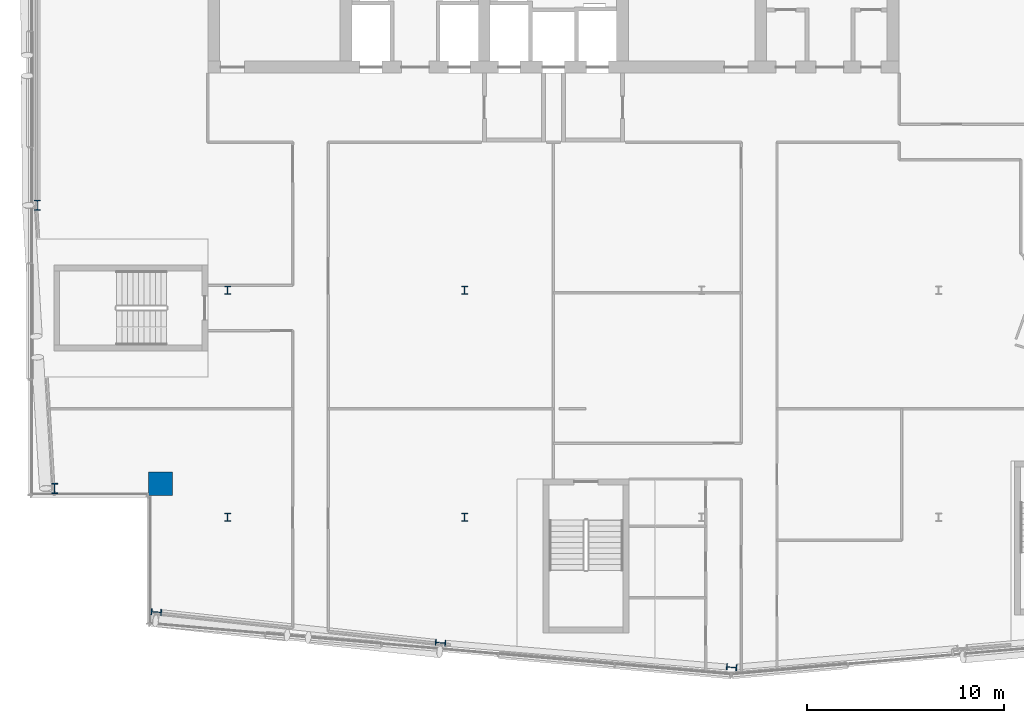
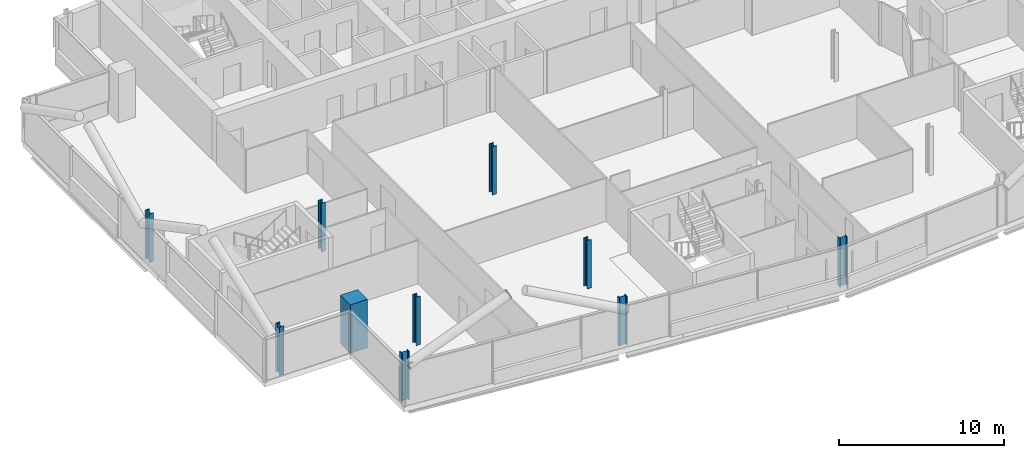
# One storey, part 1 of 28: 10 columns.
"""IFC4 building model written with IfcOpenShell, lengths in metres."""

from ifc_helpers import new_model, si_unit, direction, frame, origin, origin_2d, place, context, subcontext, project, spatial, rectangle, i_section, extrude, material, material_profile, profile_set, type_object, element, save


model = new_model("IFC4")

# Units and contexts
model_context = context("Model", 3, precision=1e-05, world=origin(), true_north=direction((0.0, 1.0)))
body_context = subcontext(model_context, "Body", "Model", "MODEL_VIEW")
ifc_project = project(units=[si_unit("LENGTHUNIT", "METRE"), si_unit("AREAUNIT", "SQUARE_METRE"), si_unit("VOLUMEUNIT", "CUBIC_METRE"), si_unit("PLANEANGLEUNIT", "RADIAN"), si_unit("MASSUNIT", "GRAM", prefix="KILO")], contexts=[model_context])

# Site, building, storey
site_placement = place(None, origin())
site = spatial("IfcSite", under=ifc_project, at=site_placement, CompositionType="ELEMENT")
building_placement = place(site_placement, origin())
building = spatial("IfcBuilding", under=site, at=building_placement, Name="Wharfspan Tower", CompositionType="ELEMENT")
storey_placement = place(building_placement, frame((0.0, 0.0, 250.300049)))
storey = spatial("IfcBuildingStorey", under=building, at=storey_placement, Name="L63", CompositionType="ELEMENT", Elevation=250.300049)

# Columns
ifc_material_1 = material(Name="Steel S355J2", Category="steel")
ifc_material_profile_1 = material_profile(ifc_material_1, i_section(OverallWidth=0.300049, OverallDepth=0.399902, WebThickness=0.013428, FlangeThickness=0.023926, FilletRadius=0.0271, at=origin_2d()))
ifc_profile_set_1 = profile_set([ifc_material_profile_1], Name="Steel S355J2")
column_type_1 = type_object("IfcColumnType", Name="Column HEB 400", PredefinedType="COLUMN", material=ifc_profile_set_1)
for number, where, z_axis, x_axis, name in (
    (1, (24.0, 11.5, 0.0), (0.0, 0.0, 1.0), (1.0, 0.0, 0.0), "Interior column I.1.1 L63"),
    (2, (36.0, 11.5, 0.0), (0.0, 0.0, 1.0), (1.0, 0.0, 0.0), "Interior column I.1.2 L63"),
    (3, (24.0, 23.0, 0.0), (0.0, 0.0, 1.0), (1.0, 0.0, 0.0), "Interior column I.2.1 L63"),
    (4, (36.0, 23.0, 0.0), (0.0, 0.0, 1.0), (1.0, 0.0, 0.0), "Interior column I.2.2 L63"),
):
    element("IfcColumn", number, at=place(storey_placement, frame(where, z_axis=z_axis, x_axis=x_axis)), inside=storey, type_object=column_type_1, Name=name, PredefinedType="COLUMN", context=body_context, shape_type="SweptSolid", body=[
        extrude(i_section(OverallWidth=0.300049, OverallDepth=0.399902, WebThickness=0.013428, FlangeThickness=0.023926, FilletRadius=0.0271, at=origin_2d()), origin(), (0.0, 0.0, 1.0), 3.599854),
    ])
ifc_material_profile_2 = material_profile(ifc_material_1, i_section(OverallWidth=0.305908, OverallDepth=0.523926, WebThickness=0.020996, FlangeThickness=0.040039, FilletRadius=0.0271, at=origin_2d()))
ifc_profile_set_2 = profile_set([ifc_material_profile_2], Name="Steel S355J2")
column_type_2 = type_object("IfcColumnType", Name="Column HEM 500", PredefinedType="COLUMN", material=ifc_profile_set_2)
for number, where, z_axis, x_axis, name in (
    (5, (20.392334, 6.702637, 0.0), (0.0, 0.0, 1.0), (-0.087156, -0.996197, 0.0), "Perimeter column PS1.1 L63"),
    (6, (34.781494, 5.143311, 0.0), (0.0, 0.0, 1.0), (-0.087156, -0.996197, 0.0), "Perimeter column PS1.2 L63"),
    (7, (49.522949, 3.9021, 0.0), (0.0, 0.0, 1.0), (-0.087156, -0.996197, 0.0), "Perimeter column PS1.3 L63"),
    (8, (14.360107, 27.300049, 0.0), (0.0, 0.0, 1.0), (-1.0, 0.0, 0.0), "Perimeter column PW.1 L63"),
    (9, (15.237793, 12.963379, 0.0), (0.0, 0.0, 1.0), (-1.0, 0.0, 0.0), "Perimeter column PW.2 L63"),
):
    element("IfcColumn", number, at=place(storey_placement, frame(where, z_axis=z_axis, x_axis=x_axis)), inside=storey, type_object=column_type_2, Name=name, PredefinedType="COLUMN", context=body_context, shape_type="SweptSolid", body=[
        extrude(i_section(OverallWidth=0.305908, OverallDepth=0.523926, WebThickness=0.020996, FlangeThickness=0.040039, FilletRadius=0.0271, at=origin_2d()), origin(), (0.0, 0.0, 1.0), 3.599854),
    ])
ifc_material_2 = material(Name="Concrete C50/60", Category="concrete")
ifc_material_profile_3 = material_profile(ifc_material_2, rectangle(XDim=1.199951, YDim=1.199951, at=origin_2d()))
ifc_profile_set_3 = profile_set([ifc_material_profile_3], Name="Concrete C50/60")
column_type_3 = type_object("IfcColumnType", Name="Mega column 1200 C50/60", PredefinedType="COLUMN", material=ifc_profile_set_3)
column_placement = place(storey_placement, frame((20.600098, 13.199951, 0.0), z_axis=(0.0, 0.0, 1.0), x_axis=(1.0, 0.0, 0.0)))
element("IfcColumn", 10, at=column_placement, inside=storey, type_object=column_type_3, Name="Mega column MC1 L63", PredefinedType="COLUMN", context=body_context, shape_type="SweptSolid", body=[
    extrude(rectangle(XDim=1.199951, YDim=1.199951, at=origin_2d()), origin(), (0.0, 0.0, 1.0), 3.599854),
])

save(model, "model.ifc")
